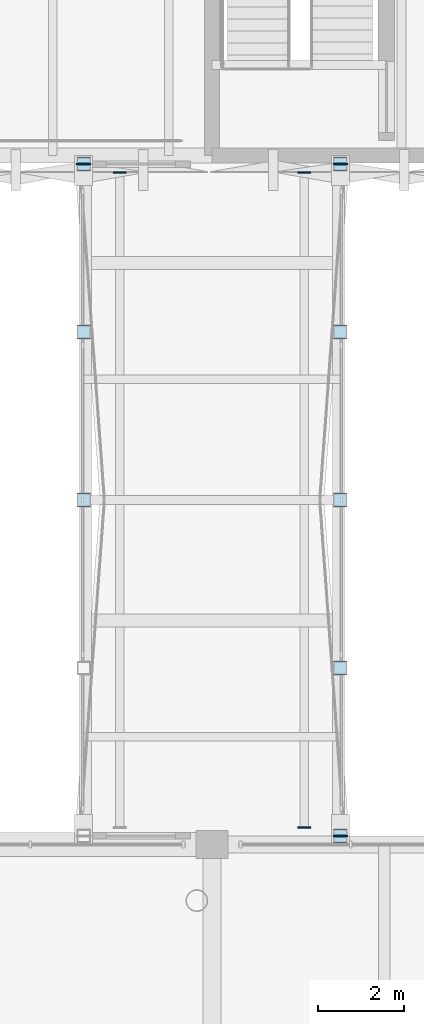
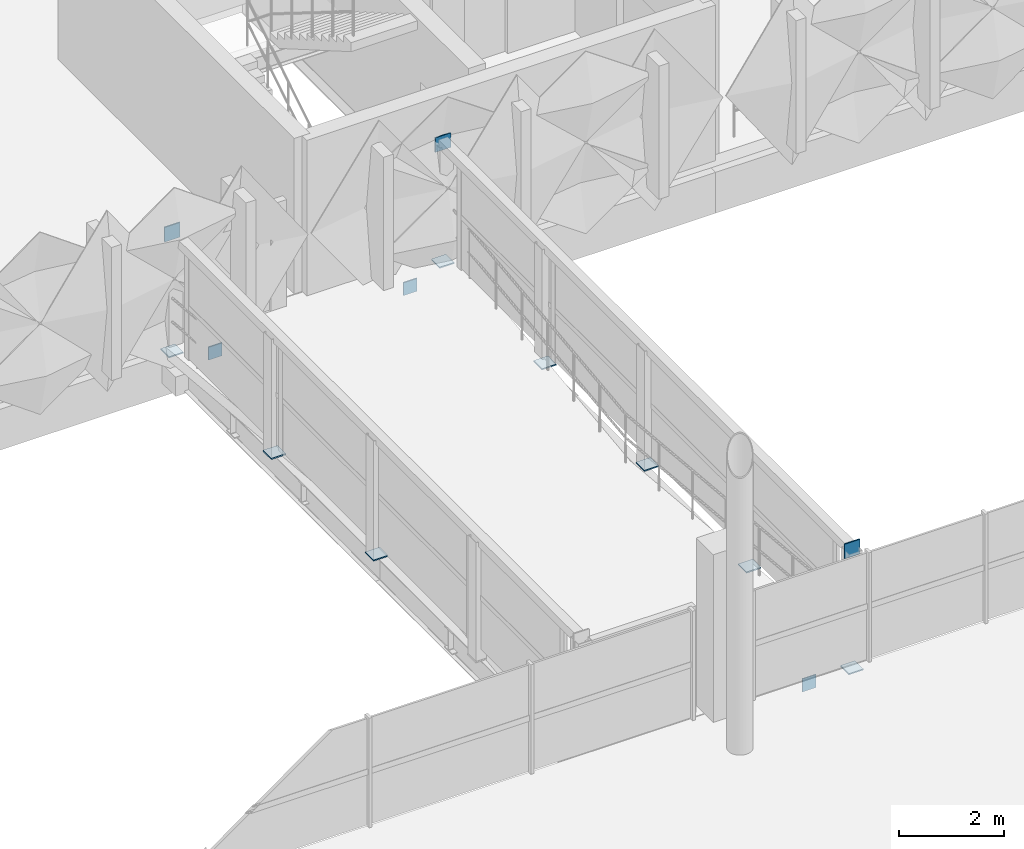
# One storey, part 69 of 123: 14 plates.
"""IFC4 building model written with IfcOpenShell, lengths in metres."""

from ifc_helpers import new_model, si_unit, derived_unit, direction, frame, origin, origin_2d, place, context, subcontext, project, spatial, rectangle, extrude, material, layer, layer_set, type_object, element, save


model = new_model("IFC4")

# Units and contexts
model_context = context("Model", 3, precision=1e-05, world=origin(), true_north=direction((0.0, 1.0)))
body_context = subcontext(model_context, "Body", "Model", "MODEL_VIEW")
ifc_project = project(units=[si_unit("LENGTHUNIT", "METRE"), si_unit("AREAUNIT", "SQUARE_METRE"), si_unit("VOLUMEUNIT", "CUBIC_METRE"), si_unit("PLANEANGLEUNIT", "RADIAN"), si_unit("MASSUNIT", "GRAM", prefix="KILO"), si_unit("THERMODYNAMICTEMPERATUREUNIT", "KELVIN"), derived_unit("THERMALTRANSMITTANCEUNIT", [(si_unit("POWERUNIT", "WATT"), 1), (si_unit("AREAUNIT", "SQUARE_METRE"), -1), (si_unit("THERMODYNAMICTEMPERATUREUNIT", "KELVIN"), -1)])], contexts=[model_context])

# Site, building, storey
site_placement = place(None, origin())
site = spatial("IfcSite", under=ifc_project, at=site_placement, CompositionType="ELEMENT")
building_placement = place(site_placement, origin())
building = spatial("IfcBuilding", under=site, at=building_placement, Name="Haiyu Intermodal Mobility Hub", CompositionType="ELEMENT")
storey_placement = place(building_placement, frame((0.0, 0.0, 5.60009765625)))
storey = spatial("IfcBuildingStorey", under=building, at=storey_placement, Name="L01", CompositionType="ELEMENT", Elevation=5.60009765625)

# Plates
ifc_material = material(Name="Steel Q355C", Category="steel")
ifc_layer_1 = layer(ifc_material, 0.031982421875)
ifc_layer_set_1 = layer_set([ifc_layer_1], Name="Steel Q355C")
plate_type_1 = type_object("IfcPlateType", Name="PLT-GP02", PredefinedType="USERDEFINED", material=ifc_layer_set_1)
plate_placement = place(storey_placement, frame((117.02001953125, 103.800048828125, 2.3798828125), z_axis=(0.0, 0.0, 1.0), x_axis=(1.0, 0.0, 0.0)))
element("IfcPlate", 1, at=plate_placement, inside=storey, type_object=plate_type_1, Name="Bridge Truss Chord End Cap BEW-2", ObjectType="GUSSET PLATE", PredefinedType="USERDEFINED", context=body_context, shape_type="SweptSolid", body=[
    extrude(rectangle(XDim=0.340087890625, YDim=0.028076171875, at=origin_2d()), origin(), (0.0, 0.0, 1.0), 0.340087890625),
])
for number, where, z_axis, x_axis, name in (
    (2, (117.02001953125, 96.0, -0.234375), (0.0, 0.0, 1.0), (1.0, 0.0, 0.0), "Bridge Vierendeel Base Gusset BEW-3"),
    (3, (117.02001953125, 99.89990234375, -0.234375), (0.0, 0.0, 1.0), (1.0, 0.0, 0.0), "Bridge Vierendeel Base Gusset BEW-4"),
    (4, (117.02001953125, 103.800048828125, -0.234375), (0.0, 0.0, 1.0), (1.0, 0.0, 0.0), "Bridge Vierendeel Base Gusset BEW-5"),
):
    element("IfcPlate", number, at=place(storey_placement, frame(where, z_axis=z_axis, x_axis=x_axis)), inside=storey, type_object=plate_type_1, Name=name, ObjectType="GUSSET PLATE", PredefinedType="USERDEFINED", context=body_context, shape_type="SweptSolid", body=[
        extrude(rectangle(XDim=0.320068359375, YDim=0.320068359375, at=origin_2d()), origin(), (0.0, 0.0, 1.0), 0.028076171875),
    ])
for number, where, z_axis, x_axis, name in (
    (5, (122.97998046875, 88.199951171875, 2.3798828125), (0.0, 0.0, 1.0), (1.0, 0.0, 0.0), "Bridge Truss Chord End Cap BEE-1"),
    (6, (122.97998046875, 103.800048828125, 2.3798828125), (0.0, 0.0, 1.0), (1.0, 0.0, 0.0), "Bridge Truss Chord End Cap BEE-2"),
):
    element("IfcPlate", number, at=place(storey_placement, frame(where, z_axis=z_axis, x_axis=x_axis)), inside=storey, type_object=plate_type_1, Name=name, ObjectType="GUSSET PLATE", PredefinedType="USERDEFINED", context=body_context, shape_type="SweptSolid", body=[
        extrude(rectangle(XDim=0.340087890625, YDim=0.028076171875, at=origin_2d()), origin(), (0.0, 0.0, 1.0), 0.340087890625),
    ])
for number, where, z_axis, x_axis, name in (
    (7, (122.97998046875, 88.199951171875, -0.234375), (0.0, 0.0, 1.0), (1.0, 0.0, 0.0), "Bridge Vierendeel Base Gusset BEE-1"),
    (8, (122.97998046875, 92.10009765625, -0.234375), (0.0, 0.0, 1.0), (1.0, 0.0, 0.0), "Bridge Vierendeel Base Gusset BEE-2"),
    (9, (122.97998046875, 96.0, -0.234375), (0.0, 0.0, 1.0), (1.0, 0.0, 0.0), "Bridge Vierendeel Base Gusset BEE-3"),
    (10, (122.97998046875, 99.89990234375, -0.234375), (0.0, 0.0, 1.0), (1.0, 0.0, 0.0), "Bridge Vierendeel Base Gusset BEE-4"),
    (11, (122.97998046875, 103.800048828125, -0.234375), (0.0, 0.0, 1.0), (1.0, 0.0, 0.0), "Bridge Vierendeel Base Gusset BEE-5"),
):
    element("IfcPlate", number, at=place(storey_placement, frame(where, z_axis=z_axis, x_axis=x_axis)), inside=storey, type_object=plate_type_1, Name=name, ObjectType="GUSSET PLATE", PredefinedType="USERDEFINED", context=body_context, shape_type="SweptSolid", body=[
        extrude(rectangle(XDim=0.320068359375, YDim=0.320068359375, at=origin_2d()), origin(), (0.0, 0.0, 1.0), 0.028076171875),
    ])
ifc_layer_2 = layer(ifc_material, 0.02587890625)
ifc_layer_set_2 = layer_set([ifc_layer_2], Name="Steel Q355C")
plate_type_2 = type_object("IfcPlateType", Name="PLT-GP06-INT", PredefinedType="USERDEFINED", material=ifc_layer_set_2)
for number, where, z_axis, x_axis, name in (
    (12, (117.85400390625, 103.60498046875, -0.55029296875), (0.0, 0.0, 1.0), (1.0, 0.0, 0.0), "PLT-BRGBEC-BEW-2"),
    (13, (122.14599609375, 88.39501953125, -0.55029296875), (0.0, 0.0, 1.0), (1.0, 0.0, 0.0), "PLT-BRGBEC-BEE-1"),
    (14, (122.14599609375, 103.60498046875, -0.55029296875), (0.0, 0.0, 1.0), (1.0, 0.0, 0.0), "PLT-BRGBEC-BEE-2"),
):
    element("IfcPlate", number, at=place(storey_placement, frame(where, z_axis=z_axis, x_axis=x_axis)), inside=storey, type_object=plate_type_2, Name=name, ObjectType="GUSSET PLATE", PredefinedType="USERDEFINED", context=body_context, shape_type="SweptSolid", body=[
        extrude(rectangle(XDim=0.300048828125, YDim=0.028076171875, at=origin_2d()), origin(), (0.0, 0.0, 1.0), 0.300048828125),
    ])

save(model, "model.ifc")
